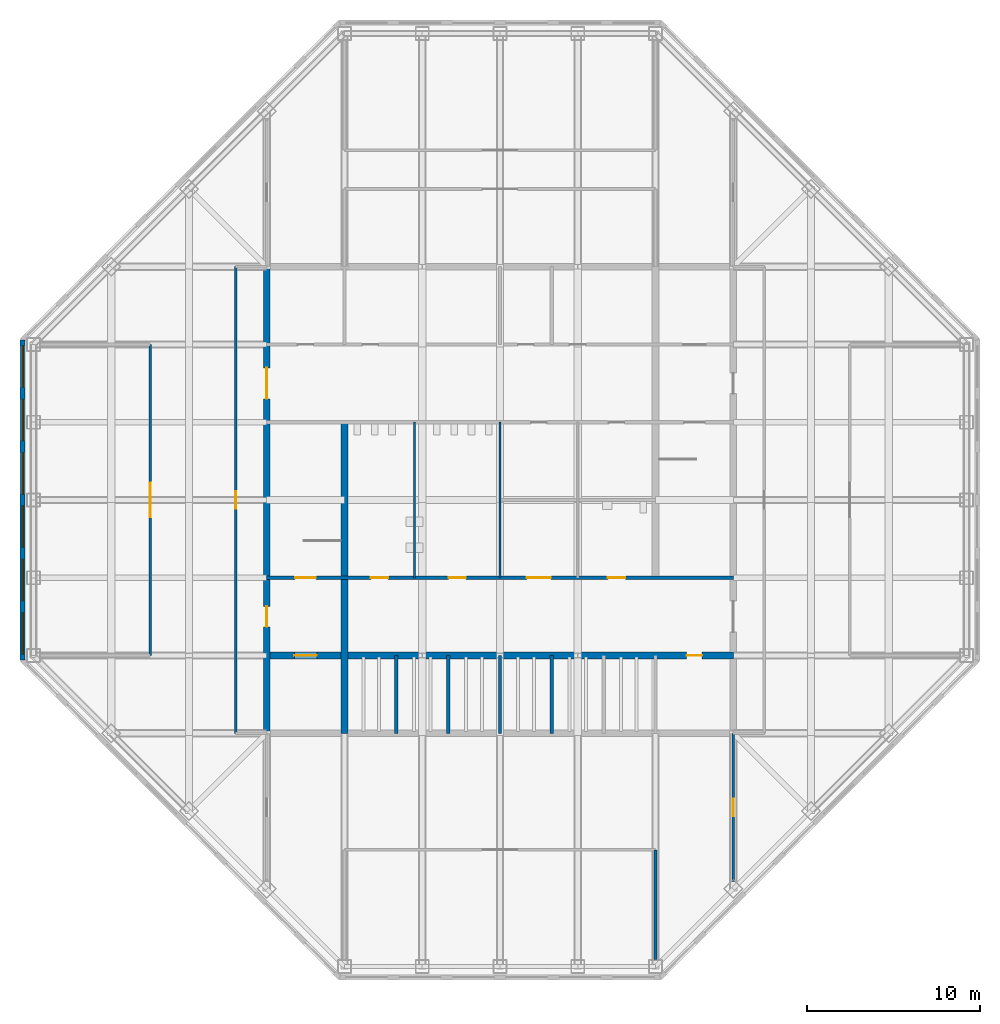
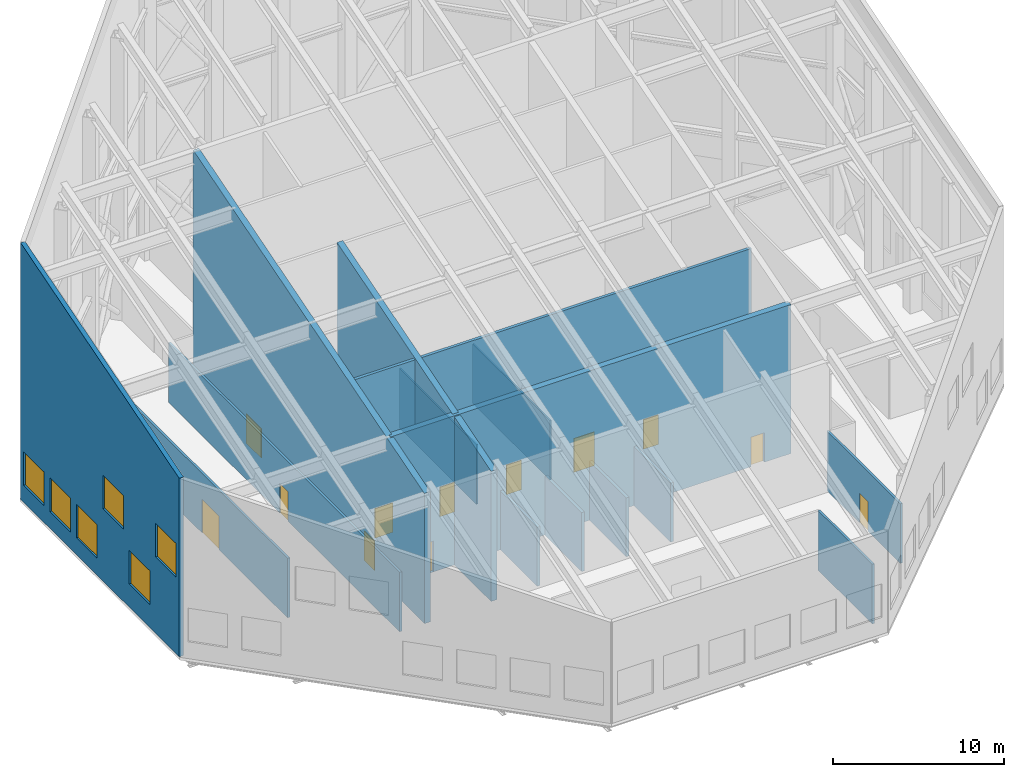
# One storey, part 5 of 10: 15 walls, 12 doors, 6 windows, 18 openings.
"""IFC4 building model written with IfcOpenShell, lengths in metres."""

from ifc_helpers import new_model, si_unit, direction, frame, frame_2d, origin, place, context, subcontext, project, spatial, polyline, rectangle, outline, extrude, material, layer, layer_set, type_object, element, fill, save


model = new_model("IFC4")

# Units and contexts
model_context = context("Model", 3, precision=1e-05, world=origin(), true_north=direction((0.0, 1.0)))
body_context = subcontext(model_context, "Body", "Model", "MODEL_VIEW")
ifc_project = project(units=[si_unit("LENGTHUNIT", "METRE"), si_unit("AREAUNIT", "SQUARE_METRE"), si_unit("VOLUMEUNIT", "CUBIC_METRE"), si_unit("PLANEANGLEUNIT", "RADIAN"), si_unit("MASSUNIT", "GRAM", prefix="KILO")], contexts=[model_context])

# Site, building, storey
site_placement = place(None, origin())
site = spatial("IfcSite", under=ifc_project, at=site_placement, CompositionType="ELEMENT")
building_placement = place(site_placement, origin())
building = spatial("IfcBuilding", under=site, at=building_placement, Name="Corais Broadcast Tower", CompositionType="ELEMENT")
storey_placement = place(building_placement, frame((0.0, 0.0, 320.10009765625)))
storey = spatial("IfcBuildingStorey", under=building, at=storey_placement, Name="L75", CompositionType="ELEMENT", Elevation=320.10009765625)

# Wall, openings, doors
ifc_material_1 = material(Name="Concrete blockwork class A, grouted, two-hour", Category="masonry")
ifc_layer_1 = layer(ifc_material_1, 0.199951171875)
ifc_layer_set_1 = layer_set([ifc_layer_1], Name="Concrete blockwork class A, grouted, two-hour")
wall_type_1 = type_object("IfcWallType", Name="Core lobby wall 200", PredefinedType="SOLIDWALL", material=ifc_layer_set_1)
wall_1_placement = place(storey_placement, frame((13.5, 22.5, 0.0), z_axis=(0.0, 0.0, 1.0), x_axis=(1.0, 0.0, 0.0)))
wall_1 = element("IfcWall", 1, at=wall_1_placement, inside=storey, type_object=wall_type_1, Name="CL3 core lobby wall Y225 L75", PredefinedType="SOLIDWALL", context=body_context, shape_type="SweptSolid", body=[
    extrude(rectangle(XDim=27.0, YDim=0.199951171875, at=frame_2d((13.5, 0.0))), origin(), (0.0, 0.0, 1.0), 11.8271484375),
])
opening_1_placement = place(wall_1_placement, frame((1.64990234375, 0.0, 0.0)))
opening_1 = element("IfcOpeningElement", 2, at=opening_1_placement, cuts=wall_1, Name="Opening FD1", PredefinedType="OPENING", context=body_context, shape_type="SweptSolid", body=[
    extrude(rectangle(XDim=1.199951171875, YDim=2.10009765625, at=frame_2d((0.60009765625, 1.050048828125))), frame((0.0, 0.10986328125, 0.0), z_axis=(0.0, -1.0, 0.0), x_axis=(1.0, 0.0, 0.0)), (0.0, 0.0, 1.0), 0.219970703125),
])
opening_2_placement = place(wall_1_placement, frame((6.02490234375, 0.0, 0.0)))
opening_2 = element("IfcOpeningElement", 3, at=opening_2_placement, cuts=wall_1, Name="Opening WD1", PredefinedType="OPENING", context=body_context, shape_type="SweptSolid", body=[
    extrude(rectangle(XDim=1.0, YDim=2.10009765625, at=frame_2d((0.5, 1.050048828125))), frame((0.0, 0.10986328125, 0.0), z_axis=(0.0, -1.0, 0.0), x_axis=(1.0, 0.0, 0.0)), (0.0, 0.0, 1.0), 0.219970703125),
])
opening_3_placement = place(wall_1_placement, frame((10.52490234375, 0.0, 0.0)))
opening_3 = element("IfcOpeningElement", 4, at=opening_3_placement, cuts=wall_1, Name="Opening WD1", PredefinedType="OPENING", context=body_context, shape_type="SweptSolid", body=[
    extrude(rectangle(XDim=1.0, YDim=2.10009765625, at=frame_2d((0.5, 1.050048828125))), frame((0.0, 0.10986328125, 0.0), z_axis=(0.0, -1.0, 0.0), x_axis=(1.0, 0.0, 0.0)), (0.0, 0.0, 1.0), 0.219970703125),
])
opening_4_placement = place(wall_1_placement, frame((19.75, 0.0, 0.0)))
opening_4 = element("IfcOpeningElement", 5, at=opening_4_placement, cuts=wall_1, Name="Opening WD1", PredefinedType="OPENING", context=body_context, shape_type="SweptSolid", body=[
    extrude(rectangle(XDim=1.0, YDim=2.10009765625, at=frame_2d((0.5, 1.050048828125))), frame((0.0, 0.10986328125, 0.0), z_axis=(0.0, -1.0, 0.0), x_axis=(1.0, 0.0, 0.0)), (0.0, 0.0, 1.0), 0.219970703125),
])
opening_5_placement = place(wall_1_placement, frame((15.050048828125, 0.0, 0.0)))
opening_5 = element("IfcOpeningElement", 6, at=opening_5_placement, cuts=wall_1, Name="Opening LD3", PredefinedType="OPENING", context=body_context, shape_type="SweptSolid", body=[
    extrude(rectangle(XDim=1.39990234375, YDim=2.39990234375, at=frame_2d((0.699951171875, 1.199951171875))), frame((0.0, 0.10986328125, 0.0), z_axis=(0.0, -1.0, 0.0), x_axis=(1.0, 0.0, 0.0)), (0.0, 0.0, 1.0), 0.219970703125),
])
ifc_material_2 = material(Name="Steel fire door", Category="steel")
door_type_1 = type_object("IfcDoorType", Name="Fire door 1200x2100", OperationType="SINGLE_SWING_LEFT", PredefinedType="DOOR", material=ifc_material_2)
door_1_placement = place(opening_1_placement, origin())
door_1 = element("IfcDoor", 7, at=door_1_placement, inside=storey, type_object=door_type_1, Name="FD1 stair A door L75", OperationType="SINGLE_SWING_LEFT", OverallHeight=2.10009765625, OverallWidth=1.199951171875, PredefinedType="DOOR", context=body_context, shape_type="SweptSolid", body=[
    extrude(rectangle(XDim=1.199951171875, YDim=2.10009765625, at=frame_2d((0.60009765625, 1.050048828125))), frame((0.0, 0.02490234375, 0.0), z_axis=(0.0, -1.0, 0.0), x_axis=(1.0, 0.0, 0.0)), (0.0, 0.0, 1.0), 0.050048828125),
])
fill(opening_1, door_1)
ifc_material_3 = material(Name="Stainless steel lift door", Category="steel")
door_type_2 = type_object("IfcDoorType", Name="Service lift landing door 1400x2400", OperationType="SLIDING_TO_LEFT", PredefinedType="DOOR", material=ifc_material_3)
door_2_placement = place(opening_5_placement, origin())
door_2 = element("IfcDoor", 8, at=door_2_placement, inside=storey, type_object=door_type_2, Name="LD3 SL1 landing door L75", OperationType="SLIDING_TO_LEFT", OverallHeight=2.39990234375, OverallWidth=1.39990234375, PredefinedType="DOOR", context=body_context, shape_type="SweptSolid", body=[
    extrude(rectangle(XDim=1.39990234375, YDim=2.39990234375, at=frame_2d((0.699951171875, 1.199951171875))), frame((0.0, 0.02490234375, 0.0), z_axis=(0.0, -1.0, 0.0), x_axis=(1.0, 0.0, 0.0)), (0.0, 0.0, 1.0), 0.050048828125),
])
fill(opening_5, door_2)
ifc_material_4 = material(Name="Timber door", Category="wood")
door_type_3 = type_object("IfcDoorType", Name="Toilet door 1000x2100", OperationType="SINGLE_SWING_LEFT", PredefinedType="DOOR", material=ifc_material_4)
door_3_placement = place(opening_2_placement, origin())
door_3 = element("IfcDoor", 9, at=door_3_placement, inside=storey, type_object=door_type_3, Name="WD1 WC male door L75", OperationType="SINGLE_SWING_LEFT", OverallHeight=2.10009765625, OverallWidth=1.0, PredefinedType="DOOR", context=body_context, shape_type="SweptSolid", body=[
    extrude(rectangle(XDim=1.0, YDim=2.10009765625, at=frame_2d((0.5, 1.050048828125))), frame((0.0, 0.02490234375, 0.0), z_axis=(0.0, -1.0, 0.0), x_axis=(1.0, 0.0, 0.0)), (0.0, 0.0, 1.0), 0.050048828125),
])
fill(opening_2, door_3)
door_4_placement = place(opening_3_placement, origin())
door_4 = element("IfcDoor", 10, at=door_4_placement, inside=storey, type_object=door_type_3, Name="WD1 WC female door L75", OperationType="SINGLE_SWING_LEFT", OverallHeight=2.10009765625, OverallWidth=1.0, PredefinedType="DOOR", context=body_context, shape_type="SweptSolid", body=[
    extrude(rectangle(XDim=1.0, YDim=2.10009765625, at=frame_2d((0.5, 1.050048828125))), frame((0.0, 0.02490234375, 0.0), z_axis=(0.0, -1.0, 0.0), x_axis=(1.0, 0.0, 0.0)), (0.0, 0.0, 1.0), 0.050048828125),
])
fill(opening_3, door_4)
door_5_placement = place(opening_4_placement, origin())
door_5 = element("IfcDoor", 11, at=door_5_placement, inside=storey, type_object=door_type_3, Name="WD1 accessible WC door L75", OperationType="SINGLE_SWING_RIGHT", OverallHeight=2.10009765625, OverallWidth=1.0, PredefinedType="DOOR", context=body_context, shape_type="SweptSolid", body=[
    extrude(rectangle(XDim=1.0, YDim=2.10009765625, at=frame_2d((0.5, 1.050048828125))), frame((0.0, 0.02490234375, 0.0), z_axis=(0.0, -1.0, 0.0), x_axis=(1.0, 0.0, 0.0)), (0.0, 0.0, 1.0), 0.050048828125),
])
fill(opening_4, door_5)

ifc_material_5 = material(Name="Concrete C50/60", Category="concrete")
ifc_layer_2 = layer(ifc_material_5, 0.39990234375)
ifc_layer_set_2 = layer_set([ifc_layer_2], Name="Concrete C50/60")
wall_type_2 = type_object("IfcWallType", Name="Core wall 400", PredefinedType="SHEAR", material=ifc_layer_set_2)
wall_2_placement = place(storey_placement, frame((13.5, 40.5, 0.0), z_axis=(0.0, 0.0, 1.0), x_axis=(0.0, -1.0, 0.0)))
wall_2 = element("IfcWall", 12, at=wall_2_placement, inside=storey, type_object=wall_type_2, Name="CR400 core wall W L75", PredefinedType="SHEAR", context=body_context, shape_type="SweptSolid", body=[
    extrude(outline(polyline([(0.0, 0.0), (27.0, 0.0), (27.0, 9.277099609375), (0.0, 17.376953125), (0.0, 0.0)])), frame((0.0, 0.199951171875, 0.0), z_axis=(0.0, -1.0, 0.0), x_axis=(1.0, 0.0, 0.0)), (0.0, 0.0, 1.0), 0.39990234375),
])
opening_6_placement = place(wall_2_placement, frame((19.64990234375, 0.0, 0.0)))
opening_6 = element("IfcOpeningElement", 13, at=opening_6_placement, cuts=wall_2, Name="Opening FD1", PredefinedType="OPENING", context=body_context, shape_type="SweptSolid", body=[
    extrude(rectangle(XDim=1.199951171875, YDim=2.10009765625, at=frame_2d((0.60009765625, 1.050048828125))), frame((0.0, 0.2099609375, 0.0), z_axis=(0.0, -1.0, 0.0), x_axis=(1.0, 0.0, 0.0)), (0.0, 0.0, 1.0), 0.419921875),
])
opening_7_placement = place(wall_2_placement, frame((5.85009765625, 0.0, 0.0)))
opening_7 = element("IfcOpeningElement", 14, at=opening_7_placement, cuts=wall_2, Name="Opening FD2", PredefinedType="OPENING", context=body_context, shape_type="SweptSolid", body=[
    extrude(rectangle(XDim=1.800048828125, YDim=2.10009765625, at=frame_2d((0.89990234375, 1.050048828125))), frame((0.0, 0.2099609375, 0.0), z_axis=(0.0, -1.0, 0.0), x_axis=(1.0, 0.0, 0.0)), (0.0, 0.0, 1.0), 0.419921875),
])
door_6_placement = place(opening_6_placement, origin())
door_6 = element("IfcDoor", 15, at=door_6_placement, inside=storey, type_object=door_type_1, Name="FD1 fire lobby A door L75", OperationType="SINGLE_SWING_RIGHT", OverallHeight=2.10009765625, OverallWidth=1.199951171875, PredefinedType="DOOR", context=body_context, shape_type="SweptSolid", body=[
    extrude(rectangle(XDim=1.199951171875, YDim=2.10009765625, at=frame_2d((0.60009765625, 1.050048828125))), frame((0.0, 0.02490234375, 0.0), z_axis=(0.0, -1.0, 0.0), x_axis=(1.0, 0.0, 0.0)), (0.0, 0.0, 1.0), 0.050048828125),
])
fill(opening_6, door_6)
ifc_material_6 = material(Name="Steel fire door", Category="steel")
door_type_4 = type_object("IfcDoorType", Name="Fire door pair 1800x2100", OperationType="DOUBLE_DOOR_SINGLE_SWING", PredefinedType="DOOR", material=ifc_material_6)
door_7_placement = place(opening_7_placement, origin())
door_7 = element("IfcDoor", 16, at=door_7_placement, inside=storey, type_object=door_type_4, Name="FD2 lift lobby door L75", OperationType="SINGLE_SWING_LEFT", OverallHeight=2.10009765625, OverallWidth=1.800048828125, PredefinedType="DOOR", context=body_context, shape_type="SweptSolid", body=[
    extrude(rectangle(XDim=1.800048828125, YDim=2.10009765625, at=frame_2d((0.89990234375, 1.050048828125))), frame((0.0, 0.02490234375, 0.0), z_axis=(0.0, -1.0, 0.0), x_axis=(1.0, 0.0, 0.0)), (0.0, 0.0, 1.0), 0.050048828125),
])
fill(opening_7, door_7)

# Wall
wall_3_placement = place(storey_placement, frame((18.0, 13.5, 0.0), z_axis=(0.0, 0.0, 1.0), x_axis=(0.0, 1.0, 0.0)))
element("IfcWall", 17, at=wall_3_placement, inside=storey, type_object=wall_type_2, Name="CR400 core wall X18A L75", PredefinedType="SHEAR", context=body_context, shape_type="SweptSolid", body=[
    extrude(outline(polyline([(0.0, 0.0), (18.0, 0.0), (18.0, 14.677001953125), (0.0, 9.277099609375), (0.0, 0.0)])), frame((0.0, 0.199951171875, 0.0), z_axis=(0.0, -1.0, 0.0), x_axis=(1.0, 0.0, 0.0)), (0.0, 0.0, 1.0), 0.39990234375),
])

# Wall, openings, doors
wall_4_placement = place(storey_placement, frame((13.5, 18.0, 0.0), z_axis=(0.0, 0.0, 1.0), x_axis=(1.0, 0.0, 0.0)))
wall_4 = element("IfcWall", 18, at=wall_4_placement, inside=storey, type_object=wall_type_2, Name="CR400 core wall Y18 L75", PredefinedType="SHEAR", context=body_context, shape_type="SweptSolid", body=[
    extrude(rectangle(XDim=27.0, YDim=0.39990234375, at=frame_2d((13.5, 0.0))), origin(), (0.0, 0.0, 1.0), 10.626953125),
])
opening_8_placement = place(wall_4_placement, frame((24.300048828125, 0.0, 0.0)))
opening_8 = element("IfcOpeningElement", 19, at=opening_8_placement, cuts=wall_4, Name="Opening RD1", PredefinedType="OPENING", context=body_context, shape_type="SweptSolid", body=[
    extrude(rectangle(XDim=0.89990234375, YDim=2.10009765625, at=frame_2d((0.449951171875, 1.050048828125))), frame((0.0, 0.2099609375, 0.0), z_axis=(0.0, -1.0, 0.0), x_axis=(1.0, 0.0, 0.0)), (0.0, 0.0, 1.0), 0.419921875),
])
opening_9_placement = place(wall_4_placement, frame((1.60009765625, 0.0, 0.0)))
opening_9 = element("IfcOpeningElement", 20, at=opening_9_placement, cuts=wall_4, Name="Opening LD2", PredefinedType="OPENING", context=body_context, shape_type="SweptSolid", body=[
    extrude(rectangle(XDim=1.300048828125, YDim=2.199951171875, at=frame_2d((0.64990234375, 1.10009765625))), frame((0.0, 0.2099609375, 0.0), z_axis=(0.0, -1.0, 0.0), x_axis=(1.0, 0.0, 0.0)), (0.0, 0.0, 1.0), 0.419921875),
])
ifc_material_7 = material(Name="Stainless steel lift door", Category="steel")
door_type_5 = type_object("IfcDoorType", Name="Lift landing door 1300x2200", OperationType="SLIDING_TO_LEFT", PredefinedType="DOOR", material=ifc_material_7)
door_8_placement = place(opening_9_placement, origin())
door_8 = element("IfcDoor", 21, at=door_8_placement, inside=storey, type_object=door_type_5, Name="LD2 FL1 landing door L75", OperationType="SLIDING_TO_LEFT", OverallHeight=2.199951171875, OverallWidth=1.300048828125, PredefinedType="DOOR", context=body_context, shape_type="SweptSolid", body=[
    extrude(rectangle(XDim=1.300048828125, YDim=2.199951171875, at=frame_2d((0.64990234375, 1.10009765625))), frame((0.0, 0.02490234375, 0.0), z_axis=(0.0, -1.0, 0.0), x_axis=(1.0, 0.0, 0.0)), (0.0, 0.0, 1.0), 0.050048828125),
])
fill(opening_9, door_8)
ifc_material_8 = material(Name="Steel fire door", Category="steel")
door_type_6 = type_object("IfcDoorType", Name="Riser door 900x2100", OperationType="SINGLE_SWING_LEFT", PredefinedType="DOOR", material=ifc_material_8)
door_9_placement = place(opening_8_placement, origin())
door_9 = element("IfcDoor", 22, at=door_9_placement, inside=storey, type_object=door_type_6, Name="RD1 riser door L75", OperationType="SINGLE_SWING_RIGHT", OverallHeight=2.10009765625, OverallWidth=0.89990234375, PredefinedType="DOOR", context=body_context, shape_type="SweptSolid", body=[
    extrude(rectangle(XDim=0.89990234375, YDim=2.10009765625, at=frame_2d((0.449951171875, 1.050048828125))), frame((0.0, 0.02490234375, 0.0), z_axis=(0.0, -1.0, 0.0), x_axis=(1.0, 0.0, 0.0)), (0.0, 0.0, 1.0), 0.050048828125),
])
fill(opening_8, door_9)

# Wall
ifc_material_9 = material(Name="Two layers of fire-rated gypsum board each side on steel studs", Category="steel")
ifc_layer_3 = layer(ifc_material_9, 0.14990234375)
ifc_layer_set_3 = layer_set([ifc_layer_3], Name="Two layers of fire-rated gypsum board each side on steel studs")
wall_type_3 = type_object("IfcWallType", Name="Fire-rated partition 150 EI 60", PredefinedType="PARTITIONING", material=ifc_layer_set_3)
wall_5_placement = place(storey_placement, frame((36.0, 0.409912109375, 0.0), z_axis=(0.0, 0.0, 1.0), x_axis=(0.0, 1.0, 0.0)))
element("IfcWall", 23, at=wall_5_placement, inside=storey, type_object=wall_type_3, Name="IW7 partition L75", PredefinedType="PARTITIONING", context=body_context, shape_type="SweptSolid", body=[
    extrude(rectangle(XDim=6.340087890625, YDim=0.14990234375, at=frame_2d((3.169921875, 0.0))), origin(), (0.0, 0.0, 1.0), 4.245849609375),
])

# Wall, opening, door
wall_6_placement = place(storey_placement, frame((6.75, 18.0, 0.0), z_axis=(0.0, 0.0, 1.0), x_axis=(0.0, 1.0, 0.0)))
wall_6 = element("IfcWall", 24, at=wall_6_placement, inside=storey, type_object=wall_type_3, Name="IW7 partition L75", PredefinedType="PARTITIONING", context=body_context, shape_type="SweptSolid", body=[
    extrude(rectangle(XDim=18.0, YDim=0.14990234375, at=frame_2d((9.0, 0.0))), origin(), (0.0, 0.0, 1.0), 4.245849609375),
])
opening_10_placement = place(wall_6_placement, frame((8.0, 0.0, 0.0)))
opening_10 = element("IfcOpeningElement", 25, at=opening_10_placement, cuts=wall_6, Name="Opening D4", PredefinedType="OPENING", context=body_context, shape_type="SweptSolid", body=[
    extrude(rectangle(XDim=2.0, YDim=2.39990234375, at=frame_2d((1.0, 1.199951171875))), frame((0.0, 0.0849609375, 0.0), z_axis=(0.0, -1.0, 0.0), x_axis=(1.0, 0.0, 0.0)), (0.0, 0.0, 1.0), 0.169921875),
])
ifc_material_10 = material(Name="Steel door", Category="steel")
door_type_7 = type_object("IfcDoorType", Name="Plant room door pair 2000x2400", OperationType="DOUBLE_DOOR_SINGLE_SWING", PredefinedType="DOOR", material=ifc_material_10)
door_10_placement = place(opening_10_placement, origin())
door_10 = element("IfcDoor", 26, at=door_10_placement, inside=storey, type_object=door_type_7, Name="D4 Pump plant room door", OperationType="SINGLE_SWING_LEFT", OverallHeight=2.39990234375, OverallWidth=2.0, PredefinedType="DOOR", context=body_context, shape_type="SweptSolid", body=[
    extrude(rectangle(XDim=2.0, YDim=2.39990234375, at=frame_2d((1.0, 1.199951171875))), frame((0.0, 0.02490234375, 0.0), z_axis=(0.0, -1.0, 0.0), x_axis=(1.0, 0.0, 0.0)), (0.0, 0.0, 1.0), 0.050048828125),
])
fill(opening_10, door_10)

ifc_material_11 = material(Name="Gypsum board on steel studs", Category="steel")
ifc_layer_4 = layer(ifc_material_11, 0.14990234375)
ifc_layer_set_4 = layer_set([ifc_layer_4], Name="Gypsum board on steel studs")
wall_type_4 = type_object("IfcWallType", Name="Partition 150", PredefinedType="PARTITIONING", material=ifc_layer_set_4)
wall_7_placement = place(storey_placement, frame((11.699951171875, 40.5, 0.0), z_axis=(0.0, 0.0, 1.0), x_axis=(0.0, -1.0, 0.0)))
wall_7 = element("IfcWall", 27, at=wall_7_placement, inside=storey, type_object=wall_type_4, Name="IW3 corridor wall L75", PredefinedType="PARTITIONING", context=body_context, shape_type="SweptSolid", body=[
    extrude(rectangle(XDim=27.0, YDim=0.14990234375, at=frame_2d((13.5, 0.0))), origin(), (0.0, 0.0, 1.0), 4.245849609375),
])
opening_11_placement = place(wall_7_placement, frame((13.0, 0.0, 0.0)))
opening_11 = element("IfcOpeningElement", 28, at=opening_11_placement, cuts=wall_7, Name="Opening D1", PredefinedType="OPENING", context=body_context, shape_type="SweptSolid", body=[
    extrude(rectangle(XDim=1.0, YDim=2.10009765625, at=frame_2d((0.5, 1.050048828125))), frame((0.0, 0.0849609375, 0.0), z_axis=(0.0, -1.0, 0.0), x_axis=(1.0, 0.0, 0.0)), (0.0, 0.0, 1.0), 0.169921875),
])
ifc_material_12 = material(Name="Timber door", Category="wood")
door_type_8 = type_object("IfcDoorType", Name="Single door 1000x2100", OperationType="SINGLE_SWING_LEFT", PredefinedType="DOOR", material=ifc_material_12)
door_11_placement = place(opening_11_placement, origin())
door_11 = element("IfcDoor", 29, at=door_11_placement, inside=storey, type_object=door_type_8, Name="D1 workplace door L75", OperationType="SINGLE_SWING_LEFT", OverallHeight=2.10009765625, OverallWidth=1.0, PredefinedType="DOOR", context=body_context, shape_type="SweptSolid", body=[
    extrude(rectangle(XDim=1.0, YDim=2.10009765625, at=frame_2d((0.5, 1.050048828125))), frame((0.0, 0.02490234375, 0.0), z_axis=(0.0, -1.0, 0.0), x_axis=(1.0, 0.0, 0.0)), (0.0, 0.0, 1.0), 0.050048828125),
])
fill(opening_11, door_11)

wall_8_placement = place(storey_placement, frame((40.5, 4.919921875, 0.0), z_axis=(0.0, 0.0, 1.0), x_axis=(0.0, 1.0, 0.0)))
wall_8 = element("IfcWall", 30, at=wall_8_placement, inside=storey, type_object=wall_type_4, Name="IW3 partition L75", PredefinedType="PARTITIONING", context=body_context, shape_type="SweptSolid", body=[
    extrude(rectangle(XDim=8.580078125, YDim=0.14990234375, at=frame_2d((4.2900390625, 0.0))), origin(), (0.0, 0.0, 1.0), 4.245849609375),
])
opening_12_placement = place(wall_8_placement, frame((3.7900390625, 0.0, 0.0)))
opening_12 = element("IfcOpeningElement", 31, at=opening_12_placement, cuts=wall_8, Name="Opening D1", PredefinedType="OPENING", context=body_context, shape_type="SweptSolid", body=[
    extrude(rectangle(XDim=1.0, YDim=2.10009765625, at=frame_2d((0.5, 1.050048828125))), frame((0.0, 0.0849609375, 0.0), z_axis=(0.0, -1.0, 0.0), x_axis=(1.0, 0.0, 0.0)), (0.0, 0.0, 1.0), 0.169921875),
])
door_12_placement = place(opening_12_placement, origin())
door_12 = element("IfcDoor", 32, at=door_12_placement, inside=storey, type_object=door_type_8, Name="D1 team room door L75", OperationType="SINGLE_SWING_LEFT", OverallHeight=2.10009765625, OverallWidth=1.0, PredefinedType="DOOR", context=body_context, shape_type="SweptSolid", body=[
    extrude(rectangle(XDim=1.0, YDim=2.10009765625, at=frame_2d((0.5, 1.050048828125))), frame((0.0, 0.02490234375, 0.0), z_axis=(0.0, -1.0, 0.0), x_axis=(1.0, 0.0, 0.0)), (0.0, 0.0, 1.0), 0.050048828125),
])
fill(opening_12, door_12)

# Walls
ifc_material_13 = material(Name="Concrete blockwork class A, grouted, two-hour", Category="masonry")
ifc_layer_5 = layer(ifc_material_13, 0.199951171875)
ifc_layer_set_5 = layer_set([ifc_layer_5], Name="Concrete blockwork class A, grouted, two-hour")
wall_type_5 = type_object("IfcWallType", Name="Shaft wall 200", PredefinedType="PARTITIONING", material=ifc_layer_set_5)
for number, where, z_axis, x_axis, name in (
    (33, (21.0, 13.5, 0.0), (0.0, 0.0, 1.0), (0.0, 1.0, 0.0), "IW1 shaft wall L75"),
    (34, (24.0, 13.5, 0.0), (0.0, 0.0, 1.0), (0.0, 1.0, 0.0), "IW1 shaft wall L75"),
    (35, (27.0, 13.5, 0.0), (0.0, 0.0, 1.0), (0.0, 1.0, 0.0), "IW1 shaft wall L75"),
    (36, (30.0, 13.5, 0.0), (0.0, 0.0, 1.0), (0.0, 1.0, 0.0), "IW1 shaft wall L75"),
):
    element("IfcWall", number, at=place(storey_placement, frame(where, z_axis=z_axis, x_axis=x_axis)), inside=storey, type_object=wall_type_5, Name=name, PredefinedType="PARTITIONING", context=body_context, shape_type="SweptSolid", body=[
        extrude(rectangle(XDim=4.5, YDim=0.199951171875, at=frame_2d((2.25, 0.0))), origin(), (0.0, 0.0, 1.0), 4.199951171875),
    ])

# Wall, openings, windows
ifc_material_14 = material(Name="Precast concrete C40/50", Category="concrete")
ifc_layer_6 = layer(ifc_material_14, 0.300048828125)
ifc_layer_set_6 = layer_set([ifc_layer_6], Name="Precast concrete C40/50")
wall_type_6 = type_object("IfcWallType", Name="Stone-faced precast wall 300", PredefinedType="SOLIDWALL", material=ifc_layer_set_6)
wall_9_placement = place(storey_placement, frame((-0.6298828125, 17.739013671875, 0.0), z_axis=(0.0, 0.0, 1.0), x_axis=(0.0, 1.0, 0.0)))
wall_9 = element("IfcWall", 37, at=wall_9_placement, inside=storey, type_object=wall_type_6, Name="EW1 crown wall L75 2", PredefinedType="SOLIDWALL", context=body_context, shape_type="SweptSolid", body=[
    extrude(outline(polyline([(0.0, 0.0), (18.52197265625, 0.0), (18.52197265625, 18.2783203125), (0.0, 12.7216796875), (0.0, 0.0)])), frame((0.0, 0.14990234375, 0.0), z_axis=(0.0, -1.0, 0.0), x_axis=(1.0, 0.0, 0.0)), (0.0, 0.0, 1.0), 0.300048828125),
])
opening_13_placement = place(wall_9_placement, frame((0.343505859375, 0.0, 5.449951171875)))
opening_13 = element("IfcOpeningElement", 38, at=opening_13_placement, cuts=wall_9, Name="Opening LV2", PredefinedType="OPENING", context=body_context, shape_type="SweptSolid", body=[
    extrude(rectangle(XDim=2.39990234375, YDim=2.39990234375, at=frame_2d((1.199951171875, 1.199951171875))), frame((0.0, 0.159912109375, 0.0), z_axis=(0.0, -1.0, 0.0), x_axis=(1.0, 0.0, 0.0)), (0.0, 0.0, 1.0), 0.320068359375),
])
opening_14_placement = place(wall_9_placement, frame((3.430419921875, 0.0, 1.64990234375)))
opening_14 = element("IfcOpeningElement", 39, at=opening_14_placement, cuts=wall_9, Name="Opening LV2", PredefinedType="OPENING", context=body_context, shape_type="SweptSolid", body=[
    extrude(rectangle(XDim=2.39990234375, YDim=2.39990234375, at=frame_2d((1.199951171875, 1.199951171875))), frame((0.0, 0.159912109375, 0.0), z_axis=(0.0, -1.0, 0.0), x_axis=(1.0, 0.0, 0.0)), (0.0, 0.0, 1.0), 0.320068359375),
])
opening_15_placement = place(wall_9_placement, frame((6.517578125, 0.0, 5.14990234375)))
opening_15 = element("IfcOpeningElement", 40, at=opening_15_placement, cuts=wall_9, Name="Opening LV2", PredefinedType="OPENING", context=body_context, shape_type="SweptSolid", body=[
    extrude(rectangle(XDim=2.39990234375, YDim=2.39990234375, at=frame_2d((1.199951171875, 1.199951171875))), frame((0.0, 0.159912109375, 0.0), z_axis=(0.0, -1.0, 0.0), x_axis=(1.0, 0.0, 0.0)), (0.0, 0.0, 1.0), 0.320068359375),
])
opening_16_placement = place(wall_9_placement, frame((9.6044921875, 0.0, 1.199951171875)))
opening_16 = element("IfcOpeningElement", 41, at=opening_16_placement, cuts=wall_9, Name="Opening LV2", PredefinedType="OPENING", context=body_context, shape_type="SweptSolid", body=[
    extrude(rectangle(XDim=2.39990234375, YDim=2.39990234375, at=frame_2d((1.199951171875, 1.199951171875))), frame((0.0, 0.159912109375, 0.0), z_axis=(0.0, -1.0, 0.0), x_axis=(1.0, 0.0, 0.0)), (0.0, 0.0, 1.0), 0.320068359375),
])
opening_17_placement = place(wall_9_placement, frame((12.69140625, 0.0, 1.199951171875)))
opening_17 = element("IfcOpeningElement", 42, at=opening_17_placement, cuts=wall_9, Name="Opening LV2", PredefinedType="OPENING", context=body_context, shape_type="SweptSolid", body=[
    extrude(rectangle(XDim=2.39990234375, YDim=2.39990234375, at=frame_2d((1.199951171875, 1.199951171875))), frame((0.0, 0.159912109375, 0.0), z_axis=(0.0, -1.0, 0.0), x_axis=(1.0, 0.0, 0.0)), (0.0, 0.0, 1.0), 0.320068359375),
])
opening_18_placement = place(wall_9_placement, frame((15.778564453125, 0.0, 1.199951171875)))
opening_18 = element("IfcOpeningElement", 43, at=opening_18_placement, cuts=wall_9, Name="Opening LV2", PredefinedType="OPENING", context=body_context, shape_type="SweptSolid", body=[
    extrude(rectangle(XDim=2.39990234375, YDim=2.39990234375, at=frame_2d((1.199951171875, 1.199951171875))), frame((0.0, 0.159912109375, 0.0), z_axis=(0.0, -1.0, 0.0), x_axis=(1.0, 0.0, 0.0)), (0.0, 0.0, 1.0), 0.320068359375),
])
ifc_material_15 = material(Name="Aluminium frame", Category="aluminium")
window_type = type_object("IfcWindowType", Name="Crown louvre 2400x2400", PartitioningType="SINGLE_PANEL", PredefinedType="USERDEFINED", material=ifc_material_15)
window_1_placement = place(opening_13_placement, origin())
window_1 = element("IfcWindow", 44, at=window_1_placement, inside=storey, type_object=window_type, Name="LV2 window L75", ObjectType="LOUVRE", OverallHeight=2.39990234375, OverallWidth=2.39990234375, PartitioningType="SINGLE_PANEL", PredefinedType="USERDEFINED", context=body_context, shape_type="SweptSolid", body=[
    extrude(rectangle(XDim=2.39990234375, YDim=2.39990234375, at=frame_2d((1.199951171875, 1.199951171875))), frame((0.0, 0.030029296875, 0.0), z_axis=(0.0, -1.0, 0.0), x_axis=(1.0, 0.0, 0.0)), (0.0, 0.0, 1.0), 0.06005859375),
])
fill(opening_13, window_1)
window_2_placement = place(opening_14_placement, origin())
window_2 = element("IfcWindow", 45, at=window_2_placement, inside=storey, type_object=window_type, Name="LV2 window L75", ObjectType="LOUVRE", OverallHeight=2.39990234375, OverallWidth=2.39990234375, PartitioningType="SINGLE_PANEL", PredefinedType="USERDEFINED", context=body_context, shape_type="SweptSolid", body=[
    extrude(rectangle(XDim=2.39990234375, YDim=2.39990234375, at=frame_2d((1.199951171875, 1.199951171875))), frame((0.0, 0.030029296875, 0.0), z_axis=(0.0, -1.0, 0.0), x_axis=(1.0, 0.0, 0.0)), (0.0, 0.0, 1.0), 0.06005859375),
])
fill(opening_14, window_2)
window_3_placement = place(opening_15_placement, origin())
window_3 = element("IfcWindow", 46, at=window_3_placement, inside=storey, type_object=window_type, Name="LV2 window L75", ObjectType="LOUVRE", OverallHeight=2.39990234375, OverallWidth=2.39990234375, PartitioningType="SINGLE_PANEL", PredefinedType="USERDEFINED", context=body_context, shape_type="SweptSolid", body=[
    extrude(rectangle(XDim=2.39990234375, YDim=2.39990234375, at=frame_2d((1.199951171875, 1.199951171875))), frame((0.0, 0.030029296875, 0.0), z_axis=(0.0, -1.0, 0.0), x_axis=(1.0, 0.0, 0.0)), (0.0, 0.0, 1.0), 0.06005859375),
])
fill(opening_15, window_3)
window_4_placement = place(opening_16_placement, origin())
window_4 = element("IfcWindow", 47, at=window_4_placement, inside=storey, type_object=window_type, Name="LV2 window L75", ObjectType="LOUVRE", OverallHeight=2.39990234375, OverallWidth=2.39990234375, PartitioningType="SINGLE_PANEL", PredefinedType="USERDEFINED", context=body_context, shape_type="SweptSolid", body=[
    extrude(rectangle(XDim=2.39990234375, YDim=2.39990234375, at=frame_2d((1.199951171875, 1.199951171875))), frame((0.0, 0.030029296875, 0.0), z_axis=(0.0, -1.0, 0.0), x_axis=(1.0, 0.0, 0.0)), (0.0, 0.0, 1.0), 0.06005859375),
])
fill(opening_16, window_4)
window_5_placement = place(opening_17_placement, origin())
window_5 = element("IfcWindow", 48, at=window_5_placement, inside=storey, type_object=window_type, Name="LV2 window L75", ObjectType="LOUVRE", OverallHeight=2.39990234375, OverallWidth=2.39990234375, PartitioningType="SINGLE_PANEL", PredefinedType="USERDEFINED", context=body_context, shape_type="SweptSolid", body=[
    extrude(rectangle(XDim=2.39990234375, YDim=2.39990234375, at=frame_2d((1.199951171875, 1.199951171875))), frame((0.0, 0.030029296875, 0.0), z_axis=(0.0, -1.0, 0.0), x_axis=(1.0, 0.0, 0.0)), (0.0, 0.0, 1.0), 0.06005859375),
])
fill(opening_17, window_5)
window_6_placement = place(opening_18_placement, origin())
window_6 = element("IfcWindow", 49, at=window_6_placement, inside=storey, type_object=window_type, Name="LV2 window L75", ObjectType="LOUVRE", OverallHeight=2.39990234375, OverallWidth=2.39990234375, PartitioningType="SINGLE_PANEL", PredefinedType="USERDEFINED", context=body_context, shape_type="SweptSolid", body=[
    extrude(rectangle(XDim=2.39990234375, YDim=2.39990234375, at=frame_2d((1.199951171875, 1.199951171875))), frame((0.0, 0.030029296875, 0.0), z_axis=(0.0, -1.0, 0.0), x_axis=(1.0, 0.0, 0.0)), (0.0, 0.0, 1.0), 0.06005859375),
])
fill(opening_18, window_6)

# Walls
ifc_material_16 = material(Name="Dense concrete blockwork class A, tiled both faces", Category="masonry")
ifc_layer_7 = layer(ifc_material_16, 0.10009765625)
ifc_layer_set_7 = layer_set([ifc_layer_7], Name="Dense concrete blockwork class A, tiled both faces")
wall_type_7 = type_object("IfcWallType", Name="Toilet wall 100", PredefinedType="PLUMBINGWALL", material=ifc_layer_set_7)
for number, where, z_axis, x_axis, name in (
    (50, (22.050048828125, 22.5, 0.0), (0.0, 0.0, 1.0), (0.0, 1.0, 0.0), "IW2 toilet wall L75"),
    (51, (27.0, 22.5, 0.0), (0.0, 0.0, 1.0), (0.0, 1.0, 0.0), "IW2 toilet wall L75"),
):
    element("IfcWall", number, at=place(storey_placement, frame(where, z_axis=z_axis, x_axis=x_axis)), inside=storey, type_object=wall_type_7, Name=name, PredefinedType="PLUMBINGWALL", context=body_context, shape_type="SweptSolid", body=[
        extrude(rectangle(XDim=9.0, YDim=0.10009765625, at=frame_2d((4.5, 0.0))), origin(), (0.0, 0.0, 1.0), 4.245849609375),
    ])

save(model, "model.ifc")
